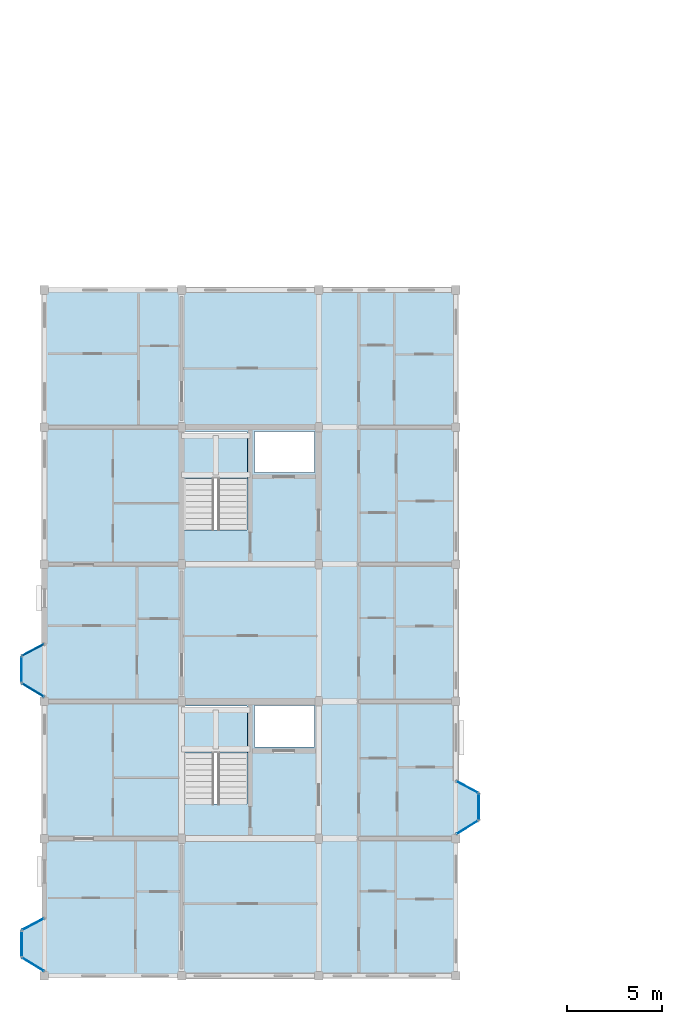
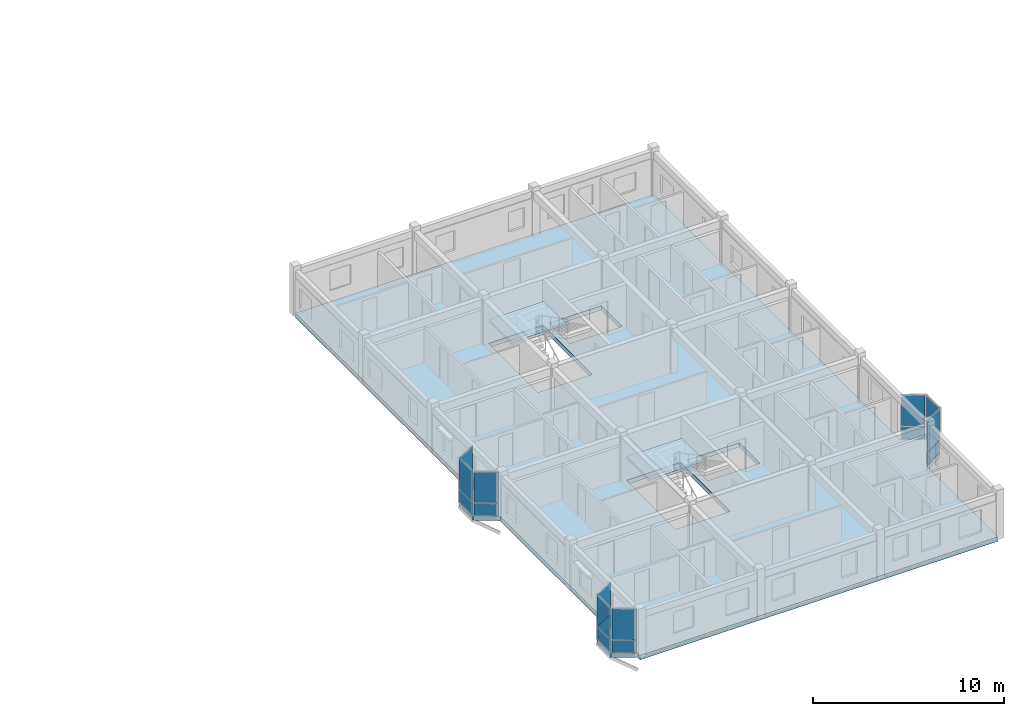
# One storey, part 10 of 23: 18 plates, 3 slabs, 11 elements without a shape of their own.
"""IFC4 building model written with IfcOpenShell, lengths in metres."""

import ifcopenshell
import ifcopenshell.guid

model = None  # the IFC model being written
_history = None  # IfcOwnerHistory: only IFC2X3 demands one
_inside = {}  # id of a spatial element -> (the spatial element, [elements in it])
_under = {}  # id of a project, library or spatial element -> (it, [spatial elements below it])
_declared = {}  # id of a project -> (the project, [libraries it declares])
_typed = {}  # id of a type object -> (the type object, [elements of that type])
_made_of = {}  # id of a material, layer set ... -> (it, [elements and type objects made of it])


def new_model(schema):
    """Start an empty IFC model of exactly this schema.

    Asked for "IFC4X3", IfcOpenShell would pick the latest addendum, in which some entities
    have other attributes; the version numbers below select the first issue.
    IFC2X3 requires an IfcOwnerHistory on every rooted entity: one is made here for all.
    """
    global model, _history
    if schema == "IFC4X3":
        model = ifcopenshell.file(schema_version=(4, 3, 0, 0))
    else:
        model = ifcopenshell.file(schema=schema)
    _inside.clear()
    _under.clear()
    _declared.clear()
    _typed.clear()
    _made_of.clear()
    _history = None
    if model.schema == "IFC2X3":
        org = make("IfcOrganization", Name="unknown")
        user = make(
            "IfcPersonAndOrganization",
            ThePerson=make("IfcPerson", FamilyName="unknown"),
            TheOrganization=org,
        )
        app = make(
            "IfcApplication",
            ApplicationDeveloper=org,
            Version="unknown",
            ApplicationFullName="unknown",
            ApplicationIdentifier="unknown",
        )
        _history = make(
            "IfcOwnerHistory",
            OwningUser=user,
            OwningApplication=app,
            ChangeAction="ADDED",
            CreationDate=0,
        )
    return model


def make(cls, **values):
    """One entity of the class cls with the attributes given. An attribute that is None is left unset."""
    return model.create_entity(
        cls, **{name: value for name, value in values.items() if value is not None}
    )


def rooted(cls, **values):
    """An entity with a GlobalId (a new one), such as an element, a storey or a relation."""
    return make(cls, GlobalId=ifcopenshell.guid.new(), OwnerHistory=_history, **values)


def si_unit(unit_type, name, prefix=None):
    """IfcSIUnit, for example si_unit("LENGTHUNIT", "METRE", prefix="MILLI")."""
    return make("IfcSIUnit", UnitType=unit_type, Prefix=prefix, Name=name)


def assignment(units):
    """IfcUnitAssignment: the units of a project."""
    return None if units is None else make("IfcUnitAssignment", Units=units)


def point(xyz):
    """IfcCartesianPoint."""
    return None if xyz is None else make("IfcCartesianPoint", Coordinates=xyz)


def direction(xyz):
    """IfcDirection."""
    return None if xyz is None else make("IfcDirection", DirectionRatios=xyz)


def frame(location, z_axis=None, x_axis=None):
    """IfcAxis2Placement3D, a coordinate frame: its origin and axes. An axis left out is left unset."""
    return make(
        "IfcAxis2Placement3D",
        Location=point(location),
        Axis=direction(z_axis),
        RefDirection=direction(x_axis),
    )


def frame_2d(location, x_axis=None):
    """IfcAxis2Placement2D, a coordinate frame in the plane: its origin and x axis."""
    return make(
        "IfcAxis2Placement2D", Location=point(location), RefDirection=direction(x_axis)
    )


def origin():
    """The frame at (0, 0, 0) with its axes left unset."""
    return frame((0.0, 0.0, 0.0))


def origin_2d():
    """The frame at (0, 0) in the plane with its x axis left unset."""
    return frame_2d((0.0, 0.0))


def place(relative_to, where):
    """IfcLocalPlacement: puts the frame where relative to a parent placement (None: the world)."""
    return make(
        "IfcLocalPlacement", PlacementRelTo=relative_to, RelativePlacement=where
    )


def context(
    kind, dimensions, precision=None, world=None, true_north=None, identifier=None
):
    """IfcGeometricRepresentationContext, for example the 3D "Model" context."""
    return make(
        "IfcGeometricRepresentationContext",
        ContextIdentifier=identifier,
        ContextType=kind,
        CoordinateSpaceDimension=dimensions,
        Precision=precision,
        WorldCoordinateSystem=world,
        TrueNorth=true_north,
    )


def subcontext(parent, identifier, kind, view, scale=None):
    """IfcGeometricRepresentationSubContext, for example "Body" below "Model"."""
    return make(
        "IfcGeometricRepresentationSubContext",
        ContextIdentifier=identifier,
        ContextType=kind,
        ParentContext=parent,
        TargetScale=scale,
        TargetView=view,
    )


def project(units=None, contexts=None):
    """IfcProject with its units and contexts."""
    return rooted(
        "IfcProject",
        Name="project",
        RepresentationContexts=contexts,
        UnitsInContext=assignment(units),
    )


def spatial(cls, under=None, at=None, **own):
    """A site, building, storey or space (cls), placed at a placement, below another one or the project."""
    s = rooted(cls, ObjectPlacement=at, **own)
    if under is not None:
        _under.setdefault(under.id(), (under, []))[1].append(s)
    return s


def polyline(points):
    """IfcPolyline through the points."""
    return make("IfcPolyline", Points=[point(p) for p in points])


def profile(cls, at=None, kind="AREA", **sizes):
    """A parametric profile (cls). Its sizes go by their IFC names, for example OverallWidth=200.0."""
    return make(cls, ProfileType=kind, Position=at, **sizes)


def rectangle(**sizes):
    """IfcRectangleProfileDef."""
    return profile("IfcRectangleProfileDef", **sizes)


def outline(outer, holes=None, kind="AREA"):
    """IfcArbitraryClosedProfileDef: a profile drawn as a closed curve; with holes, ...WithVoids."""
    if holes is None:
        return make("IfcArbitraryClosedProfileDef", ProfileType=kind, OuterCurve=outer)
    return make(
        "IfcArbitraryProfileDefWithVoids",
        ProfileType=kind,
        OuterCurve=outer,
        InnerCurves=holes,
    )


def extrude(swept, where, along, depth):
    """IfcExtrudedAreaSolid: the profile swept, set in the frame where, extruded along a direction by depth."""
    return make(
        "IfcExtrudedAreaSolid",
        SweptArea=swept,
        Position=where,
        ExtrudedDirection=direction(along),
        Depth=depth,
    )


def shape(context_of_items, identifier, shape_type, items):
    """IfcShapeRepresentation: the items that make up one representation, for example the "Body"."""
    return make(
        "IfcShapeRepresentation",
        ContextOfItems=context_of_items,
        RepresentationIdentifier=identifier,
        RepresentationType=shape_type,
        Items=items,
    )


def material(Name=None, Category=None):
    """IfcMaterial."""
    return make("IfcMaterial", Name=Name, Category=Category)


def layer(
    of_material, thickness, ventilated=None, Name=None, Category=None, Priority=None
):
    """IfcMaterialLayer: one layer of a wall or slab, of a material (None: an air gap)."""
    return make(
        "IfcMaterialLayer",
        Material=of_material,
        LayerThickness=thickness,
        IsVentilated=ventilated,
        Name=Name,
        Category=Category,
        Priority=Priority,
    )


def layer_set(layers, Name=None):
    """IfcMaterialLayerSet."""
    return make("IfcMaterialLayerSet", MaterialLayers=layers, LayerSetName=Name)


def made_of(thing, what):
    """Note that an element or type object is made of a material, layer set ...; save() writes the relation."""
    if what is not None:
        _made_of.setdefault(what.id(), (what, []))[1].append(thing)
    return thing


def type_object(cls, material=None, **own):
    """A type object (cls), such as IfcWallType, which elements share."""
    return made_of(rooted(cls, **own), material)


def element(
    cls,
    number,
    at=None,
    inside=None,
    cuts=None,
    type_object=None,
    material=None,
    context=None,
    identifier="Body",
    shape_type=None,
    held_by="IfcProductDefinitionShape",
    body=None,
    shapes=None,
    **own,
):
    """One element of the class cls, such as IfcWall. Its Tag is "e" and its number.

    at: its placement. inside: the storey or other place that contains it. cuts: it is an
    opening in that element (IfcRelVoidsElement). A single representation is given by context,
    identifier, shape_type and body (its items); several are given by shapes. held_by: the class
    of the entity that holds the representations. save() writes the other relations.
    """
    e = rooted(cls, Tag="e%d" % number, ObjectPlacement=at, **own)
    if body is not None:
        shapes = [shape(context, identifier, shape_type, body)]
    if shapes is not None:
        e.Representation = make(held_by, Representations=shapes)
    if inside is not None:
        _inside.setdefault(inside.id(), (inside, []))[1].append(e)
    if cuts is not None:
        rooted(
            "IfcRelVoidsElement", RelatingBuildingElement=cuts, RelatedOpeningElement=e
        )
    if type_object is not None:
        _typed.setdefault(type_object.id(), (type_object, []))[1].append(e)
    return made_of(e, material)


def aggregate(whole, parts):
    """IfcRelAggregates: a whole, such as a stair, and the parts it consists of."""
    return rooted("IfcRelAggregates", RelatingObject=whole, RelatedObjects=parts)


def save(model, path):
    """Write the relations noted so far, then the file.

    IfcRelAggregates (storeys below a building ...), IfcRelContainedInSpatialStructure (elements
    in a storey), IfcRelDefinesByType, IfcRelAssociatesMaterial and IfcRelDeclares: one each for
    every whole, place, type object, material and project.
    """
    for whole, parts in _under.values():
        aggregate(whole, parts)
    for where, things in _inside.values():
        rooted(
            "IfcRelContainedInSpatialStructure",
            RelatedElements=things,
            RelatingStructure=where,
        )
    for kind, things in _typed.values():
        rooted("IfcRelDefinesByType", RelatedObjects=things, RelatingType=kind)
    for what, things in _made_of.values():
        rooted("IfcRelAssociatesMaterial", RelatedObjects=things, RelatingMaterial=what)
    for by, libraries in _declared.values():
        rooted("IfcRelDeclares", RelatingContext=by, RelatedDefinitions=libraries)
    model.write(path)


model = new_model("IFC4")

# Units and contexts
model_context = context("Model", 3, precision=1e-05, world=origin(), true_north=direction((0.0, 1.0)))
body_context = subcontext(model_context, "Body", "Model", "MODEL_VIEW")
ifc_project = project(units=[si_unit("LENGTHUNIT", "METRE"), si_unit("AREAUNIT", "SQUARE_METRE"), si_unit("VOLUMEUNIT", "CUBIC_METRE"), si_unit("PLANEANGLEUNIT", "RADIAN"), si_unit("MASSUNIT", "GRAM", prefix="KILO"), si_unit("THERMODYNAMICTEMPERATUREUNIT", "KELVIN"), si_unit("POWERUNIT", "WATT")], contexts=[model_context])

# Site, building, storey
site_placement = place(None, origin())
site = spatial("IfcSite", under=ifc_project, at=site_placement, CompositionType="ELEMENT")
building_placement = place(site_placement, origin())
building = spatial("IfcBuilding", under=site, at=building_placement, Name="Tavuni Mirador Residences", CompositionType="ELEMENT")
storey_placement = place(building_placement, frame((0.0, 0.0, 42.300048828125)))
storey = spatial("IfcBuildingStorey", under=building, at=storey_placement, Name="L13", CompositionType="ELEMENT", Elevation=42.300048828125)

# Curtain wall, plate
ifc_material_1 = material(Name="Anodised aluminium", Category="aluminium")
ifc_layer_1 = layer(ifc_material_1, 0.1650390625, Name="Anodised aluminium", Category="aluminium")
ifc_layer_set_1 = layer_set([ifc_layer_1], Name="Anodised aluminium")
curtain_wall_type_1 = type_object("IfcCurtainWallType", Name="CWT-MIR-A", PredefinedType="NOTDEFINED", material=ifc_layer_set_1)
curtain_wall_1_placement = place(storey_placement, origin())
curtain_wall_1 = element("IfcCurtainWall", 1, at=curtain_wall_1_placement, inside=storey, type_object=curtain_wall_type_1, Name="CW-MIR-A-EU-L13-M2", PredefinedType="NOTDEFINED")
ifc_material_2 = material(Name="Laminated solar-control glass", Category="glass")
ifc_layer_2 = layer(ifc_material_2, 0.02392578125, Name="Laminated solar-control glass", Category="glass")
ifc_layer_set_2 = layer_set([ifc_layer_2], Name="Laminated solar-control glass")
plate_type_1 = type_object("IfcPlateType", Name="CWP-GL24", PredefinedType="CURTAIN_PANEL", material=ifc_layer_set_2)
plate_1_placement = place(storey_placement, frame((25.800048828125, 17.10009765625, 0.8798828125), z_axis=(0.0, 0.0, 1.0), x_axis=(-0.882352941175, 0.470588235296, 0.0)))
plate_1 = element("IfcPlate", 2, at=plate_1_placement, type_object=plate_type_1, Name="CW-01 panel 1.2", PredefinedType="CURTAIN_PANEL", context=body_context, shape_type="SweptSolid", body=[
    extrude(rectangle(XDim=1.239990234375, YDim=0.02392578125, at=origin_2d()), origin(), (0.0, 0.0, 1.0), 1.929931640625),
])

curtain_wall_2_placement = place(storey_placement, origin())
curtain_wall_2 = element("IfcCurtainWall", 3, at=curtain_wall_2_placement, inside=storey, type_object=curtain_wall_type_1, Name="CW-MIR-A-W1-L13-M1", PredefinedType="NOTDEFINED")
plate_2_placement = place(storey_placement, frame((3.0, 9.89990234375, 0.8798828125), z_axis=(0.0, 0.0, 1.0), x_axis=(-0.882352941175, -0.470588235296, 0.0)))
plate_2 = element("IfcPlate", 4, at=plate_2_placement, type_object=plate_type_1, Name="CW-01 panel 1.2", PredefinedType="CURTAIN_PANEL", context=body_context, shape_type="SweptSolid", body=[
    extrude(rectangle(XDim=1.239990234375, YDim=0.02392578125, at=origin_2d()), origin(), (0.0, 0.0, 1.0), 1.929931640625),
])

ifc_layer_3 = layer(ifc_material_1, 0.14990234375, Name="Anodised aluminium", Category="aluminium")
ifc_layer_set_3 = layer_set([ifc_layer_3], Name="Anodised aluminium")
curtain_wall_type_2 = type_object("IfcCurtainWallType", Name="CWT-MIR-B", PredefinedType="NOTDEFINED", material=ifc_layer_set_3)
curtain_wall_3_placement = place(storey_placement, origin())
curtain_wall_3 = element("IfcCurtainWall", 5, at=curtain_wall_3_placement, inside=storey, type_object=curtain_wall_type_2, Name="CW-MIR-A-W2-L13-M1", PredefinedType="NOTDEFINED")
ifc_layer_4 = layer(ifc_material_2, 0.028076171875, Name="Laminated solar-control glass", Category="glass")
ifc_layer_set_4 = layer_set([ifc_layer_4], Name="Laminated solar-control glass")
plate_type_2 = type_object("IfcPlateType", Name="CWP-GL28", PredefinedType="CURTAIN_PANEL", material=ifc_layer_set_4)
plate_3_placement = place(storey_placement, frame((3.0, 24.300048828125, 0.88232421875), z_axis=(0.0, 0.0, 1.0), x_axis=(-0.882352941175, -0.470588235296, 0.0)))
plate_3 = element("IfcPlate", 6, at=plate_3_placement, type_object=plate_type_2, Name="CW-02 panel 1.2", PredefinedType="CURTAIN_PANEL", context=body_context, shape_type="SweptSolid", body=[
    extrude(rectangle(XDim=1.22998046875, YDim=0.028076171875, at=origin_2d()), origin(), (0.0, 0.0, 1.0), 1.922607421875),
])

curtain_wall_4_placement = place(storey_placement, origin())
curtain_wall_4 = element("IfcCurtainWall", 7, at=curtain_wall_4_placement, inside=storey, type_object=curtain_wall_type_2, Name="CW-MIR-A-W1-L13-MF", PredefinedType="NOTDEFINED")
plate_4_placement = place(storey_placement, frame((2.39990234375, 8.8701171875, 0.88232421875), z_axis=(0.0, 0.0, 1.0), x_axis=(0.0, -1.0, 0.0)))
plate_4 = element("IfcPlate", 8, at=plate_4_placement, type_object=plate_type_2, Name="CW-02 panel 1.2", PredefinedType="CURTAIN_PANEL", context=body_context, shape_type="SweptSolid", body=[
    extrude(rectangle(XDim=1.2900390625, YDim=0.028076171875, at=origin_2d()), origin(), (0.0, 0.0, 1.0), 1.922607421875),
])

ifc_layer_5 = layer(ifc_material_1, 0.175048828125, Name="Anodised aluminium", Category="aluminium")
ifc_layer_set_5 = layer_set([ifc_layer_5], Name="Anodised aluminium")
curtain_wall_type_3 = type_object("IfcCurtainWallType", Name="CWT-MIR-C", PredefinedType="NOTDEFINED", material=ifc_layer_set_5)
curtain_wall_5_placement = place(storey_placement, origin())
curtain_wall_5 = element("IfcCurtainWall", 9, at=curtain_wall_5_placement, inside=storey, type_object=curtain_wall_type_3, Name="CW-MIR-A-EU-L13-M1", PredefinedType="NOTDEFINED")
ifc_layer_6 = layer(ifc_material_2, 0.031982421875, Name="Laminated solar-control glass", Category="glass")
ifc_layer_set_6 = layer_set([ifc_layer_6], Name="Laminated solar-control glass")
plate_type_3 = type_object("IfcPlateType", Name="CWP-GL32", PredefinedType="CURTAIN_PANEL", material=ifc_layer_set_6)
plate_5_placement = place(storey_placement, frame((25.800048828125, 14.992431640625, 0.8798828125), z_axis=(0.0, 0.0, 1.0), x_axis=(0.852754414845, 0.522312079088, 0.0)))
plate_5 = element("IfcPlate", 10, at=plate_5_placement, type_object=plate_type_3, Name="CW-03 panel 1.2", PredefinedType="CURTAIN_PANEL", context=body_context, shape_type="SweptSolid", body=[
    extrude(rectangle(XDim=1.287109375, YDim=0.031982421875, at=origin_2d()), origin(), (0.0, 0.0, 1.0), 1.929931640625),
])

curtain_wall_6_placement = place(storey_placement, origin())
curtain_wall_6 = element("IfcCurtainWall", 11, at=curtain_wall_6_placement, inside=storey, type_object=curtain_wall_type_3, Name="CW-MIR-A-W2-L13-MF", PredefinedType="NOTDEFINED")
plate_6_placement = place(storey_placement, frame((2.39990234375, 23.27001953125, 0.8798828125), z_axis=(0.0, 0.0, 1.0), x_axis=(0.0, -1.0, 0.0)))
plate_6 = element("IfcPlate", 12, at=plate_6_placement, type_object=plate_type_3, Name="CW-03 panel 1.2", PredefinedType="CURTAIN_PANEL", context=body_context, shape_type="SweptSolid", body=[
    extrude(rectangle(XDim=1.300048828125, YDim=0.031982421875, at=origin_2d()), origin(), (0.0, 0.0, 1.0), 1.929931640625),
])

curtain_wall_7_placement = place(storey_placement, origin())
curtain_wall_7 = element("IfcCurtainWall", 13, at=curtain_wall_7_placement, inside=storey, type_object=curtain_wall_type_3, Name="CW-MIR-A-W1-L13-M2", PredefinedType="NOTDEFINED")
plate_7_placement = place(storey_placement, frame((3.0, 7.79248046875, 0.8798828125), z_axis=(0.0, 0.0, 1.0), x_axis=(0.852754414845, -0.522312079088, 0.0)))
plate_7 = element("IfcPlate", 14, at=plate_7_placement, type_object=plate_type_3, Name="CW-03 panel 1.2", PredefinedType="CURTAIN_PANEL", context=body_context, shape_type="SweptSolid", body=[
    extrude(rectangle(XDim=1.287109375, YDim=0.031982421875, at=origin_2d()), origin(), (0.0, 0.0, 1.0), 1.929931640625),
])

ifc_layer_7 = layer(ifc_material_1, 0.159912109375, Name="Anodised aluminium", Category="aluminium")
ifc_layer_set_7 = layer_set([ifc_layer_7], Name="Anodised aluminium")
curtain_wall_type_4 = type_object("IfcCurtainWallType", Name="CWT-MIR-D", PredefinedType="NOTDEFINED", material=ifc_layer_set_7)
curtain_wall_8_placement = place(storey_placement, origin())
curtain_wall_8 = element("IfcCurtainWall", 15, at=curtain_wall_8_placement, inside=storey, type_object=curtain_wall_type_4, Name="CW-MIR-A-EU-L13-MF", PredefinedType="NOTDEFINED")
ifc_layer_8 = layer(ifc_material_2, 0.035888671875, Name="Laminated solar-control glass", Category="glass")
ifc_layer_set_8 = layer_set([ifc_layer_8], Name="Laminated solar-control glass")
plate_type_4 = type_object("IfcPlateType", Name="CWP-GL36", PredefinedType="CURTAIN_PANEL", material=ifc_layer_set_8)
plate_8_placement = place(storey_placement, frame((26.39990234375, 16.070068359375, 0.88232421875), z_axis=(0.0, 0.0, 1.0), x_axis=(0.0, 1.0, 0.0)))
plate_8 = element("IfcPlate", 16, at=plate_8_placement, type_object=plate_type_4, Name="CW-04 panel 1.2", PredefinedType="CURTAIN_PANEL", context=body_context, shape_type="SweptSolid", body=[
    extrude(rectangle(XDim=1.2900390625, YDim=0.035888671875, at=origin_2d()), origin(), (0.0, 0.0, 1.0), 1.922607421875),
])

curtain_wall_9_placement = place(storey_placement, origin())
curtain_wall_9 = element("IfcCurtainWall", 17, at=curtain_wall_9_placement, inside=storey, type_object=curtain_wall_type_4, Name="CW-MIR-A-W2-L13-M2", PredefinedType="NOTDEFINED")
plate_9_placement = place(storey_placement, frame((3.0, 22.1923828125, 0.88232421875), z_axis=(0.0, 0.0, 1.0), x_axis=(0.852754414845, -0.522312079088, 0.0)))
plate_9 = element("IfcPlate", 18, at=plate_9_placement, type_object=plate_type_4, Name="CW-04 panel 1.2", PredefinedType="CURTAIN_PANEL", context=body_context, shape_type="SweptSolid", body=[
    extrude(rectangle(XDim=1.277099609375, YDim=0.035888671875, at=origin_2d()), origin(), (0.0, 0.0, 1.0), 1.922607421875),
])

# Plate
ifc_material_3 = material(Name="Ceramic trencadis mosaic panel", Category="masonry")
ifc_layer_9 = layer(ifc_material_3, 0.0419921875, Name="Ceramic trencadis mosaic panel", Category="masonry")
ifc_layer_set_9 = layer_set([ifc_layer_9], Name="Ceramic trencadis mosaic panel")
plate_type_5 = type_object("IfcPlateType", Name="CWP-SP42", PredefinedType="CURTAIN_PANEL", material=ifc_layer_set_9)
plate_10_placement = place(storey_placement, frame((25.800048828125, 14.992431640625, 0.06005859375), z_axis=(0.0, 0.0, 1.0), x_axis=(0.852754414845, 0.522312079088, 0.0)))
plate_10 = element("IfcPlate", 19, at=plate_10_placement, type_object=plate_type_5, Name="CW-03 panel 1.1", PredefinedType="CURTAIN_PANEL", context=body_context, shape_type="SweptSolid", body=[
    extrude(rectangle(XDim=1.287109375, YDim=0.0419921875, at=origin_2d()), origin(), (0.0, 0.0, 1.0), 0.760009765625),
])

aggregate(curtain_wall_5, [plate_10, plate_5])

plate_11_placement = place(storey_placement, frame((25.800048828125, 17.10009765625, 0.06005859375), z_axis=(0.0, 0.0, 1.0), x_axis=(-0.882352941175, 0.470588235296, 0.0)))
plate_11 = element("IfcPlate", 20, at=plate_11_placement, type_object=plate_type_5, Name="CW-01 panel 1.1", PredefinedType="CURTAIN_PANEL", context=body_context, shape_type="SweptSolid", body=[
    extrude(rectangle(XDim=1.239990234375, YDim=0.0419921875, at=origin_2d()), origin(), (0.0, 0.0, 1.0), 0.760009765625),
])

aggregate(curtain_wall_1, [plate_11, plate_1])

plate_12_placement = place(storey_placement, frame((2.39990234375, 23.27001953125, 0.06005859375), z_axis=(0.0, 0.0, 1.0), x_axis=(0.0, -1.0, 0.0)))
plate_12 = element("IfcPlate", 21, at=plate_12_placement, type_object=plate_type_5, Name="CW-03 panel 1.1", PredefinedType="CURTAIN_PANEL", context=body_context, shape_type="SweptSolid", body=[
    extrude(rectangle(XDim=1.300048828125, YDim=0.0419921875, at=origin_2d()), origin(), (0.0, 0.0, 1.0), 0.760009765625),
])

aggregate(curtain_wall_6, [plate_12, plate_6])

plate_13_placement = place(storey_placement, frame((3.0, 9.89990234375, 0.06005859375), z_axis=(0.0, 0.0, 1.0), x_axis=(-0.882352941175, -0.470588235296, 0.0)))
plate_13 = element("IfcPlate", 22, at=plate_13_placement, type_object=plate_type_5, Name="CW-01 panel 1.1", PredefinedType="CURTAIN_PANEL", context=body_context, shape_type="SweptSolid", body=[
    extrude(rectangle(XDim=1.239990234375, YDim=0.0419921875, at=origin_2d()), origin(), (0.0, 0.0, 1.0), 0.760009765625),
])

aggregate(curtain_wall_2, [plate_13, plate_2])

plate_14_placement = place(storey_placement, frame((3.0, 7.79248046875, 0.06005859375), z_axis=(0.0, 0.0, 1.0), x_axis=(0.852754414845, -0.522312079088, 0.0)))
plate_14 = element("IfcPlate", 23, at=plate_14_placement, type_object=plate_type_5, Name="CW-03 panel 1.1", PredefinedType="CURTAIN_PANEL", context=body_context, shape_type="SweptSolid", body=[
    extrude(rectangle(XDim=1.287109375, YDim=0.0419921875, at=origin_2d()), origin(), (0.0, 0.0, 1.0), 0.760009765625),
])

aggregate(curtain_wall_7, [plate_14, plate_7])

ifc_layer_10 = layer(ifc_material_3, 0.048095703125, Name="Ceramic trencadis mosaic panel", Category="masonry")
ifc_layer_set_10 = layer_set([ifc_layer_10], Name="Ceramic trencadis mosaic panel")
plate_type_6 = type_object("IfcPlateType", Name="CWP-SP48", PredefinedType="CURTAIN_PANEL", material=ifc_layer_set_10)
plate_15_placement = place(storey_placement, frame((26.39990234375, 16.070068359375, 0.06494140625), z_axis=(0.0, 0.0, 1.0), x_axis=(0.0, 1.0, 0.0)))
plate_15 = element("IfcPlate", 24, at=plate_15_placement, type_object=plate_type_6, Name="CW-04 panel 1.1", PredefinedType="CURTAIN_PANEL", context=body_context, shape_type="SweptSolid", body=[
    extrude(rectangle(XDim=1.2900390625, YDim=0.048095703125, at=origin_2d()), origin(), (0.0, 0.0, 1.0), 0.75244140625),
])

aggregate(curtain_wall_8, [plate_15, plate_8])

plate_16_placement = place(storey_placement, frame((3.0, 24.300048828125, 0.06494140625), z_axis=(0.0, 0.0, 1.0), x_axis=(-0.882352941175, -0.470588235296, 0.0)))
plate_16 = element("IfcPlate", 25, at=plate_16_placement, type_object=plate_type_6, Name="CW-02 panel 1.1", PredefinedType="CURTAIN_PANEL", context=body_context, shape_type="SweptSolid", body=[
    extrude(rectangle(XDim=1.22998046875, YDim=0.048095703125, at=origin_2d()), origin(), (0.0, 0.0, 1.0), 0.75244140625),
])

aggregate(curtain_wall_3, [plate_16, plate_3])

plate_17_placement = place(storey_placement, frame((3.0, 22.1923828125, 0.06494140625), z_axis=(0.0, 0.0, 1.0), x_axis=(0.852754414845, -0.522312079088, 0.0)))
plate_17 = element("IfcPlate", 26, at=plate_17_placement, type_object=plate_type_6, Name="CW-04 panel 1.1", PredefinedType="CURTAIN_PANEL", context=body_context, shape_type="SweptSolid", body=[
    extrude(rectangle(XDim=1.277099609375, YDim=0.048095703125, at=origin_2d()), origin(), (0.0, 0.0, 1.0), 0.75244140625),
])

aggregate(curtain_wall_9, [plate_17, plate_9])

plate_18_placement = place(storey_placement, frame((2.39990234375, 8.8701171875, 0.06494140625), z_axis=(0.0, 0.0, 1.0), x_axis=(0.0, -1.0, 0.0)))
plate_18 = element("IfcPlate", 27, at=plate_18_placement, type_object=plate_type_6, Name="CW-02 panel 1.1", PredefinedType="CURTAIN_PANEL", context=body_context, shape_type="SweptSolid", body=[
    extrude(rectangle(XDim=1.2900390625, YDim=0.048095703125, at=origin_2d()), origin(), (0.0, 0.0, 1.0), 0.75244140625),
])

aggregate(curtain_wall_4, [plate_18, plate_4])

# Slab
ifc_material_4 = material(Name="Prestressed concrete C45/55", Category="concrete")
ifc_layer_11 = layer(ifc_material_4, 0.280029296875, Name="Prestressed concrete C45/55", Category="concrete")
ifc_layer_set_11 = layer_set([ifc_layer_11], Name="Prestressed concrete C45/55")
slab_type_1 = type_object("IfcSlabType", Name="SLT-FLR280", PredefinedType="FLOOR", material=ifc_layer_set_11)
slab_1_placement = place(storey_placement, frame((0.0, 0.0, -0.280029296875)))
element("IfcSlab", 28, at=slab_1_placement, inside=storey, type_object=slab_type_1, Name="SLB-BLK-A-L13", PredefinedType="FLOOR", context=body_context, shape_type="SweptSolid", body=[
    extrude(outline(polyline([(3.60009765625, 7.199951171875), (25.199951171875, 7.199951171875), (25.199951171875, 14.625), (26.39990234375, 15.360107421875), (26.39990234375, 16.780029296875), (25.199951171875, 17.419921875), (25.199951171875, 43.199951171875), (3.60009765625, 43.199951171875), (3.60009765625, 24.6201171875), (2.39990234375, 23.97998046875), (2.39990234375, 22.56005859375), (3.60009765625, 21.824951171875), (3.60009765625, 10.219970703125), (2.39990234375, 9.580078125), (2.39990234375, 8.159912109375), (3.60009765625, 7.425048828125), (3.60009765625, 7.199951171875)]), holes=[polyline([(10.9599609375, 16.2080078125), (14.239990234375, 16.2080078125), (14.239990234375, 21.360107421875), (10.9599609375, 21.360107421875), (10.9599609375, 16.2080078125)]), polyline([(14.6201171875, 19.219970703125), (17.780029296875, 19.219970703125), (17.780029296875, 21.3798828125), (14.6201171875, 21.3798828125), (14.6201171875, 19.219970703125)]), polyline([(10.9599609375, 30.60791015625), (14.239990234375, 30.60791015625), (14.239990234375, 35.760009765625), (10.9599609375, 35.760009765625), (10.9599609375, 30.60791015625)]), polyline([(14.6201171875, 33.6201171875), (17.780029296875, 33.6201171875), (17.780029296875, 35.780029296875), (14.6201171875, 35.780029296875), (14.6201171875, 33.6201171875)])]), origin(), (0.0, 0.0, 1.0), 0.280029296875),
])

# Stair, slab
ifc_material_5 = material(Name="Precast concrete C40/50", Category="concrete")
stair_type = type_object("IfcStairType", Name="STT-TYP", PredefinedType="HALF_TURN_STAIR", material=ifc_material_5)
stair_1_placement = place(storey_placement, origin())
stair_1 = element("IfcStair", 29, at=stair_1_placement, inside=storey, type_object=stair_type, Name="Protected exit stair ST1 (L13)", PredefinedType="HALF_TURN_STAIR")
ifc_layer_12 = layer(ifc_material_5, 0.179931640625, Name="Precast concrete C40/50", Category="concrete")
ifc_layer_set_12 = layer_set([ifc_layer_12], Name="Precast concrete C40/50")
slab_type_2 = type_object("IfcSlabType", Name="SLT-LND180", PredefinedType="LANDING", material=ifc_layer_set_12)
slab_2_placement = place(storey_placement, frame((0.0, 0.0, 1.39501953125)))
slab_2 = element("IfcSlab", 30, at=slab_2_placement, type_object=slab_type_2, Name="ST1 landing 1", PredefinedType="LANDING", context=body_context, shape_type="SweptSolid", body=[
    extrude(outline(polyline([(10.93994140625, 18.89208984375), (14.260009765625, 18.89208984375), (14.260009765625, 21.300048828125), (10.93994140625, 21.300048828125), (10.93994140625, 18.89208984375)])), origin(), (0.0, 0.0, 1.0), 0.179931640625),
])
aggregate(stair_1, [slab_2])

stair_2_placement = place(storey_placement, origin())
stair_2 = element("IfcStair", 31, at=stair_2_placement, inside=storey, type_object=stair_type, Name="Protected exit stair ST2 (L13)", PredefinedType="HALF_TURN_STAIR")
slab_3_placement = place(storey_placement, frame((0.0, 0.0, 1.39501953125)))
slab_3 = element("IfcSlab", 32, at=slab_3_placement, type_object=slab_type_2, Name="ST2 landing 1", PredefinedType="LANDING", context=body_context, shape_type="SweptSolid", body=[
    extrude(outline(polyline([(10.93994140625, 33.2919921875), (14.260009765625, 33.2919921875), (14.260009765625, 35.699951171875), (10.93994140625, 35.699951171875), (10.93994140625, 33.2919921875)])), origin(), (0.0, 0.0, 1.0), 0.179931640625),
])
aggregate(stair_2, [slab_3])

save(model, "model.ifc")
